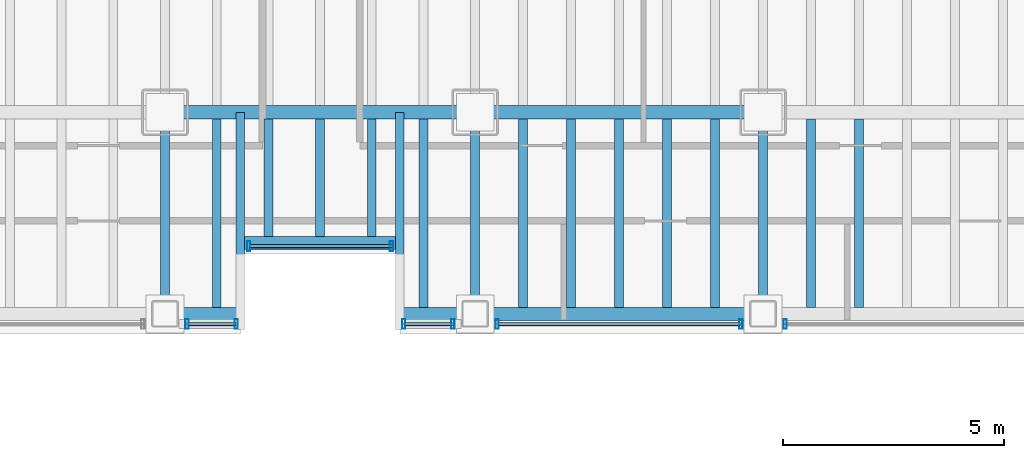
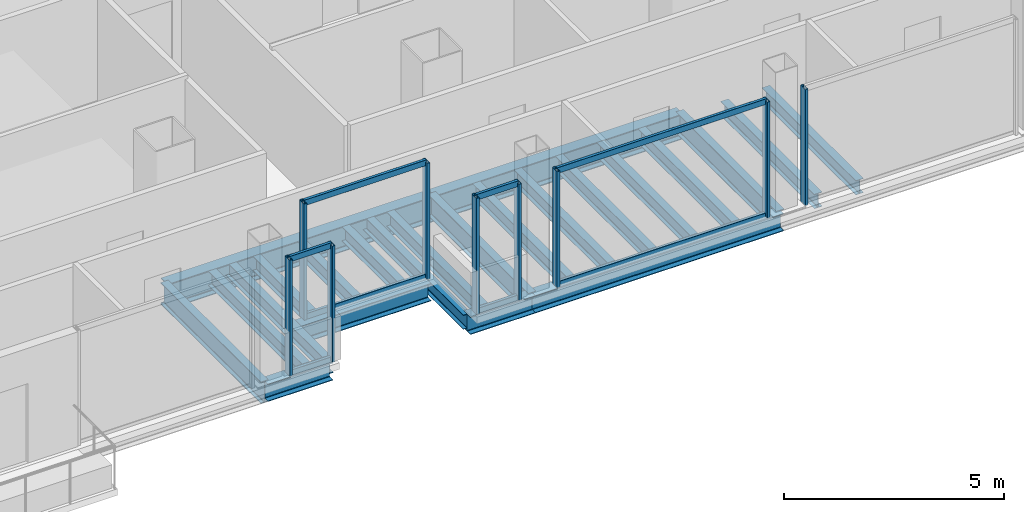
# One storey, part 4 of 20: 23 beams, 17 members, 5 elements without a shape of their own.
"""IFC4 building model written with IfcOpenShell, lengths in metres."""

from ifc_helpers import new_model, si_unit, direction, frame, origin, origin_2d, place, context, subcontext, project, spatial, hollow_rectangle, i_section, extrude, material, material_profile, profile_set, type_object, element, aggregate, save


model = new_model("IFC4")

# Units and contexts
model_context = context("Model", 3, precision=1e-05, world=origin(), true_north=direction((0.0, 1.0)))
body_context = subcontext(model_context, "Body", "Model", "MODEL_VIEW")
ifc_project = project(units=[si_unit("LENGTHUNIT", "METRE"), si_unit("AREAUNIT", "SQUARE_METRE"), si_unit("VOLUMEUNIT", "CUBIC_METRE"), si_unit("PLANEANGLEUNIT", "RADIAN"), si_unit("MASSUNIT", "GRAM", prefix="KILO")], contexts=[model_context])

# Site, building, storey
site_placement = place(None, origin())
site = spatial("IfcSite", under=ifc_project, at=site_placement, CompositionType="ELEMENT")
building_placement = place(site_placement, origin())
building = spatial("IfcBuilding", under=site, at=building_placement, Name="Noeulbin Bourse Tower", CompositionType="ELEMENT")
storey_placement = place(building_placement, frame((0.0, 0.0, 73.300048828125)))
storey = spatial("IfcBuildingStorey", under=building, at=storey_placement, Name="L18", CompositionType="ELEMENT", Elevation=73.300048828125)

# Beams
ifc_material_1 = material(Name="Steel S355", Category="steel")
ifc_material_profile_1 = material_profile(ifc_material_1, i_section(OverallWidth=0.199951171875, OverallDepth=0.60009765625, WebThickness=0.010986328125, FlangeThickness=0.01708984375, FilletRadius=0.02197265625, at=origin_2d()), Name="H-600x200x11x17", Category="LoadBearing")
ifc_profile_set_1 = profile_set([ifc_material_profile_1], Name="Steel S355")
beam_type_1 = type_object("IfcBeamType", Name="BM-GRD-600", PredefinedType="USERDEFINED", material=ifc_profile_set_1)
for number, where, z_axis, x_axis, name in (
    (1, (24.0, 15.449951171875, -0.47998046875), (0.0, 1.0, 0.0), (-1.0, 0.0, 0.0), "Tower Primary Girder NS L18-2.1"),
    (2, (31.0, 15.449951171875, -0.47998046875), (0.0, 1.0, 0.0), (-1.0, 0.0, 0.0), "Tower Primary Girder NS L18-3.1"),
    (3, (37.5, 15.449951171875, -0.47998046875), (0.0, 1.0, 0.0), (-1.0, 0.0, 0.0), "Tower Primary Girder NS L18-4.1"),
):
    element("IfcBeam", number, at=place(storey_placement, frame(where, z_axis=z_axis, x_axis=x_axis)), inside=storey, type_object=beam_type_1, Name=name, ObjectType="GIRDER", PredefinedType="USERDEFINED", context=body_context, shape_type="SweptSolid", body=[
        extrude(i_section(OverallWidth=0.199951171875, OverallDepth=0.60009765625, WebThickness=0.010986328125, FlangeThickness=0.01708984375, FilletRadius=0.02197265625, at=origin_2d()), origin(), (0.0, 0.0, 1.0), 4.550048828125),
    ])
ifc_material_profile_2 = material_profile(ifc_material_1, i_section(OverallWidth=0.300048828125, OverallDepth=0.699951171875, WebThickness=0.012939453125, FlangeThickness=0.02392578125, FilletRadius=0.02392578125, at=origin_2d()), Name="H-700x300x13x24", Category="LoadBearing")
ifc_profile_set_2 = profile_set([ifc_material_profile_2], Name="Steel S355")
beam_type_2 = type_object("IfcBeamType", Name="BM-GRD-700", PredefinedType="USERDEFINED", material=ifc_profile_set_2)
beam_1_placement = place(storey_placement, frame((24.0, 20.0, -0.530029296875), z_axis=(1.0, 0.0, 0.0), x_axis=(0.0, 1.0, 0.0)))
element("IfcBeam", 4, at=beam_1_placement, inside=storey, type_object=beam_type_2, Name="Tower Primary Girder EW L18-1.3", ObjectType="GIRDER", PredefinedType="USERDEFINED", context=body_context, shape_type="SweptSolid", body=[
    extrude(i_section(OverallWidth=0.300048828125, OverallDepth=0.699951171875, WebThickness=0.012939453125, FlangeThickness=0.02392578125, FilletRadius=0.02392578125, at=origin_2d()), origin(), (0.0, 0.0, 1.0), 7.0),
])
beam_2_placement = place(storey_placement, frame((31.0, 20.0, -0.530029296875), z_axis=(1.0, 0.0, 0.0), x_axis=(0.0, 1.0, 0.0)))
element("IfcBeam", 5, at=beam_2_placement, inside=storey, type_object=beam_type_2, Name="Tower Primary Girder EW L18-1.4", ObjectType="GIRDER", PredefinedType="USERDEFINED", context=body_context, shape_type="SweptSolid", body=[
    extrude(i_section(OverallWidth=0.300048828125, OverallDepth=0.699951171875, WebThickness=0.012939453125, FlangeThickness=0.02392578125, FilletRadius=0.02392578125, at=origin_2d()), origin(), (0.0, 0.0, 1.0), 6.5),
])
ifc_material_profile_3 = material_profile(ifc_material_1, i_section(OverallWidth=0.199951171875, OverallDepth=0.39990234375, WebThickness=0.008056640625, FlangeThickness=0.012939453125, FilletRadius=0.01611328125, at=origin_2d()), Name="H-400x200x8x13", Category="LoadBearing")
ifc_profile_set_3 = profile_set([ifc_material_profile_3], Name="Steel S355")
beam_type_3 = type_object("IfcBeamType", Name="BM-SEC-400", PredefinedType="BEAM", material=ifc_profile_set_3)
for number, where, z_axis, x_axis, name in (
    (6, (25.699951171875, 15.449951171875, -0.380126953125), (0.0, 1.0, 0.0), (-1.0, 0.0, 0.0), "BM-L18-SRT-W"),
    (7, (29.300048828125, 15.449951171875, -0.380126953125), (0.0, 1.0, 0.0), (-1.0, 0.0, 0.0), "BM-L18-SRT-E"),
):
    element("IfcBeam", number, at=place(storey_placement, frame(where, z_axis=z_axis, x_axis=x_axis)), inside=storey, type_object=beam_type_3, Name=name, PredefinedType="BEAM", context=body_context, shape_type="SweptSolid", body=[
        extrude(i_section(OverallWidth=0.199951171875, OverallDepth=0.39990234375, WebThickness=0.008056640625, FlangeThickness=0.012939453125, FilletRadius=0.01611328125, at=origin_2d()), origin(), (0.0, 0.0, 1.0), 4.550048828125),
    ])
beam_3_placement = place(storey_placement, frame((25.166748046875, 15.60009765625, -0.380126953125), z_axis=(0.0, 1.0, 0.0), x_axis=(-1.0, 0.0, 0.0)))
element("IfcBeam", 8, at=beam_3_placement, inside=storey, type_object=beam_type_3, Name="Tower Composite Joist L18-25", PredefinedType="BEAM", context=body_context, shape_type="SweptSolid", body=[
    extrude(i_section(OverallWidth=0.199951171875, OverallDepth=0.39990234375, WebThickness=0.008056640625, FlangeThickness=0.012939453125, FilletRadius=0.01611328125, at=origin_2d()), origin(), (0.0, 0.0, 1.0), 4.25),
])
for number, where, z_axis, x_axis, name in (
    (9, (26.333251953125, 17.199951171875, -0.380126953125), (0.0, 1.0, 0.0), (-1.0, 0.0, 0.0), "Tower Composite Joist L18-28"),
    (10, (27.5, 17.199951171875, -0.380126953125), (0.0, 1.0, 0.0), (-1.0, 0.0, 0.0), "Tower Composite Joist L18-31"),
    (11, (28.666748046875, 17.199951171875, -0.380126953125), (0.0, 1.0, 0.0), (-1.0, 0.0, 0.0), "Tower Composite Joist L18-34"),
):
    element("IfcBeam", number, at=place(storey_placement, frame(where, z_axis=z_axis, x_axis=x_axis)), inside=storey, type_object=beam_type_3, Name=name, PredefinedType="BEAM", context=body_context, shape_type="SweptSolid", body=[
        extrude(i_section(OverallWidth=0.199951171875, OverallDepth=0.39990234375, WebThickness=0.008056640625, FlangeThickness=0.012939453125, FilletRadius=0.01611328125, at=origin_2d()), origin(), (0.0, 0.0, 1.0), 2.650146484375),
    ])
for number, where, z_axis, x_axis, name in (
    (12, (29.833251953125, 15.60009765625, -0.380126953125), (0.0, 1.0, 0.0), (-1.0, 0.0, 0.0), "Tower Composite Joist L18-37"),
    (13, (32.083251953125, 15.60009765625, -0.380126953125), (0.0, 1.0, 0.0), (-1.0, 0.0, 0.0), "Tower Composite Joist L18-40"),
    (14, (33.166748046875, 15.60009765625, -0.380126953125), (0.0, 1.0, 0.0), (-1.0, 0.0, 0.0), "Tower Composite Joist L18-43"),
    (15, (34.25, 15.60009765625, -0.380126953125), (0.0, 1.0, 0.0), (-1.0, 0.0, 0.0), "Tower Composite Joist L18-46"),
    (16, (35.333251953125, 15.60009765625, -0.380126953125), (0.0, 1.0, 0.0), (-1.0, 0.0, 0.0), "Tower Composite Joist L18-49"),
    (17, (36.416748046875, 15.60009765625, -0.380126953125), (0.0, 1.0, 0.0), (-1.0, 0.0, 0.0), "Tower Composite Joist L18-52"),
    (18, (38.583251953125, 15.60009765625, -0.380126953125), (0.0, 1.0, 0.0), (-1.0, 0.0, 0.0), "Tower Composite Joist L18-55"),
    (19, (39.666748046875, 15.60009765625, -0.380126953125), (0.0, 1.0, 0.0), (-1.0, 0.0, 0.0), "Tower Composite Joist L18-58"),
):
    element("IfcBeam", number, at=place(storey_placement, frame(where, z_axis=z_axis, x_axis=x_axis)), inside=storey, type_object=beam_type_3, Name=name, PredefinedType="BEAM", context=body_context, shape_type="SweptSolid", body=[
        extrude(i_section(OverallWidth=0.199951171875, OverallDepth=0.39990234375, WebThickness=0.008056640625, FlangeThickness=0.012939453125, FilletRadius=0.01611328125, at=origin_2d()), origin(), (0.0, 0.0, 1.0), 4.25),
    ])
ifc_material_profile_4 = material_profile(ifc_material_1, i_section(OverallWidth=0.300048828125, OverallDepth=0.488037109375, WebThickness=0.010986328125, FlangeThickness=0.01806640625, FilletRadius=0.02197265625, at=origin_2d()), Name="H-488x300x11x18", Category="LoadBearing")
ifc_profile_set_4 = profile_set([ifc_material_profile_4], Name="Steel S355")
beam_type_4 = type_object("IfcBeamType", Name="BM-SPN-488", PredefinedType="SPANDREL", material=ifc_profile_set_4)
beam_4_placement = place(storey_placement, frame((25.800048828125, 17.050048828125, -0.424072265625), z_axis=(1.0, 0.0, 0.0), x_axis=(0.0, 1.0, 0.0)))
element("IfcBeam", 20, at=beam_4_placement, inside=storey, type_object=beam_type_4, Name="South Recess Spandrel L18-2B", PredefinedType="SPANDREL", context=body_context, shape_type="SweptSolid", body=[
    extrude(i_section(OverallWidth=0.300048828125, OverallDepth=0.488037109375, WebThickness=0.010986328125, FlangeThickness=0.01806640625, FilletRadius=0.02197265625, at=origin_2d()), origin(), (0.0, 0.0, 1.0), 3.39990234375),
])
for number, where, z_axis, x_axis, name in (
    (21, (24.0, 15.449951171875, -0.424072265625), (1.0, 0.0, 0.0), (0.0, 1.0, 0.0), "South Spandrel L18-2A"),
    (22, (29.300048828125, 15.449951171875, -0.424072265625), (1.0, 0.0, 0.0), (0.0, 1.0, 0.0), "South Spandrel L18-2C"),
):
    element("IfcBeam", number, at=place(storey_placement, frame(where, z_axis=z_axis, x_axis=x_axis)), inside=storey, type_object=beam_type_4, Name=name, PredefinedType="SPANDREL", context=body_context, shape_type="SweptSolid", body=[
        extrude(i_section(OverallWidth=0.300048828125, OverallDepth=0.488037109375, WebThickness=0.010986328125, FlangeThickness=0.01806640625, FilletRadius=0.02197265625, at=origin_2d()), origin(), (0.0, 0.0, 1.0), 1.699951171875),
    ])
beam_5_placement = place(storey_placement, frame((31.0, 15.449951171875, -0.424072265625), z_axis=(1.0, 0.0, 0.0), x_axis=(0.0, 1.0, 0.0)))
element("IfcBeam", 23, at=beam_5_placement, inside=storey, type_object=beam_type_4, Name="South Spandrel L18-3", PredefinedType="SPANDREL", context=body_context, shape_type="SweptSolid", body=[
    extrude(i_section(OverallWidth=0.300048828125, OverallDepth=0.488037109375, WebThickness=0.010986328125, FlangeThickness=0.01806640625, FilletRadius=0.02197265625, at=origin_2d()), origin(), (0.0, 0.0, 1.0), 6.5),
])

# Curtain wall, members
ifc_material_2 = material(Name="Dark Solar-Control Double Glazing", Category="glass")
curtain_wall_type = type_object("IfcCurtainWallType", Name="CW-SYS-2", PredefinedType="NOTDEFINED", material=ifc_material_2)
curtain_wall_1_placement = place(storey_placement, origin())
curtain_wall_1 = element("IfcCurtainWall", 24, at=curtain_wall_1_placement, inside=storey, type_object=curtain_wall_type, Name="Unitised Curtain Wall CW-L18-SREC", PredefinedType="NOTDEFINED")
ifc_material_3 = material(Name="Anodised Aluminium 6063-T6", Category="aluminium")
ifc_material_profile_5 = material_profile(ifc_material_3, hollow_rectangle(XDim=0.074951171875, YDim=0.219970703125, WallThickness=0.0048828125, InnerFilletRadius=0.00244140625, OuterFilletRadius=0.0048828125, at=origin_2d()), Name="ALU-MULL-75x220x5", Category="LoadBearing")
ifc_profile_set_5 = profile_set([ifc_material_profile_5], Name="Anodised Aluminium 6063-T6")
member_type_1 = type_object("IfcMemberType", Name="CW-SYS-2-MUL", PredefinedType="MULLION", material=ifc_profile_set_5)
member_1_placement = place(storey_placement, frame((25.889892578125, 16.97998046875, -0.02001953125), z_axis=(0.0, 0.0, 1.0), x_axis=(1.0, 0.0, 0.0)))
member_1 = element("IfcMember", 25, at=member_1_placement, type_object=member_type_1, Name="Curtain Wall Mullion CW-L18-SREC-M00", PredefinedType="MULLION", context=body_context, shape_type="SweptSolid", body=[
    extrude(hollow_rectangle(XDim=0.074951171875, YDim=0.219970703125, WallThickness=0.0048828125, InnerFilletRadius=0.00244140625, OuterFilletRadius=0.0048828125, at=origin_2d()), origin(), (0.0, 0.0, 1.0), 3.219970703125),
])
member_2_placement = place(storey_placement, frame((29.110107421875, 16.97998046875, -0.02001953125), z_axis=(0.0, 0.0, 1.0), x_axis=(1.0, 0.0, 0.0)))
member_2 = element("IfcMember", 26, at=member_2_placement, type_object=member_type_1, Name="Curtain Wall Mullion CW-L18-SREC-M01", PredefinedType="MULLION", context=body_context, shape_type="SweptSolid", body=[
    extrude(hollow_rectangle(XDim=0.074951171875, YDim=0.219970703125, WallThickness=0.0048828125, InnerFilletRadius=0.00244140625, OuterFilletRadius=0.0048828125, at=origin_2d()), origin(), (0.0, 0.0, 1.0), 3.219970703125),
])

curtain_wall_2_placement = place(storey_placement, origin())
curtain_wall_2 = element("IfcCurtainWall", 27, at=curtain_wall_2_placement, inside=storey, type_object=curtain_wall_type, Name="Unitised Curtain Wall CW-L18-S2-S2", PredefinedType="NOTDEFINED")
member_3_placement = place(storey_placement, frame((24.5, 15.219970703125, -0.02001953125), z_axis=(0.0, 0.0, 1.0), x_axis=(1.0, 0.0, 0.0)))
member_3 = element("IfcMember", 28, at=member_3_placement, type_object=member_type_1, Name="Curtain Wall Mullion CW-L18-S2-S2-M00", PredefinedType="MULLION", context=body_context, shape_type="SweptSolid", body=[
    extrude(hollow_rectangle(XDim=0.074951171875, YDim=0.219970703125, WallThickness=0.0048828125, InnerFilletRadius=0.00244140625, OuterFilletRadius=0.0048828125, at=origin_2d()), origin(), (0.0, 0.0, 1.0), 3.219970703125),
])
member_4_placement = place(storey_placement, frame((25.610107421875, 15.219970703125, -0.02001953125), z_axis=(0.0, 0.0, 1.0), x_axis=(1.0, 0.0, 0.0)))
member_4 = element("IfcMember", 29, at=member_4_placement, type_object=member_type_1, Name="Curtain Wall Mullion CW-L18-S2-S2-M01", PredefinedType="MULLION", context=body_context, shape_type="SweptSolid", body=[
    extrude(hollow_rectangle(XDim=0.074951171875, YDim=0.219970703125, WallThickness=0.0048828125, InnerFilletRadius=0.00244140625, OuterFilletRadius=0.0048828125, at=origin_2d()), origin(), (0.0, 0.0, 1.0), 3.219970703125),
])

curtain_wall_3_placement = place(storey_placement, origin())
curtain_wall_3 = element("IfcCurtainWall", 30, at=curtain_wall_3_placement, inside=storey, type_object=curtain_wall_type, Name="Unitised Curtain Wall CW-L18-S3-S1", PredefinedType="NOTDEFINED")
member_5_placement = place(storey_placement, frame((29.389892578125, 15.219970703125, -0.02001953125), z_axis=(0.0, 0.0, 1.0), x_axis=(1.0, 0.0, 0.0)))
member_5 = element("IfcMember", 31, at=member_5_placement, type_object=member_type_1, Name="Curtain Wall Mullion CW-L18-S3-S1-M00", PredefinedType="MULLION", context=body_context, shape_type="SweptSolid", body=[
    extrude(hollow_rectangle(XDim=0.074951171875, YDim=0.219970703125, WallThickness=0.0048828125, InnerFilletRadius=0.00244140625, OuterFilletRadius=0.0048828125, at=origin_2d()), origin(), (0.0, 0.0, 1.0), 3.219970703125),
])
member_6_placement = place(storey_placement, frame((30.5, 15.219970703125, -0.02001953125), z_axis=(0.0, 0.0, 1.0), x_axis=(1.0, 0.0, 0.0)))
member_6 = element("IfcMember", 32, at=member_6_placement, type_object=member_type_1, Name="Curtain Wall Mullion CW-L18-S3-S1-M01", PredefinedType="MULLION", context=body_context, shape_type="SweptSolid", body=[
    extrude(hollow_rectangle(XDim=0.074951171875, YDim=0.219970703125, WallThickness=0.0048828125, InnerFilletRadius=0.00244140625, OuterFilletRadius=0.0048828125, at=origin_2d()), origin(), (0.0, 0.0, 1.0), 3.219970703125),
])

curtain_wall_4_placement = place(storey_placement, origin())
curtain_wall_4 = element("IfcCurtainWall", 33, at=curtain_wall_4_placement, inside=storey, type_object=curtain_wall_type, Name="Unitised Curtain Wall CW-L18-S3-S2", PredefinedType="NOTDEFINED")
member_7_placement = place(storey_placement, frame((31.5, 15.219970703125, -0.02001953125), z_axis=(0.0, 0.0, 1.0), x_axis=(1.0, 0.0, 0.0)))
member_7 = element("IfcMember", 34, at=member_7_placement, type_object=member_type_1, Name="Curtain Wall Mullion CW-L18-S3-S2-M00", PredefinedType="MULLION", context=body_context, shape_type="SweptSolid", body=[
    extrude(hollow_rectangle(XDim=0.074951171875, YDim=0.219970703125, WallThickness=0.0048828125, InnerFilletRadius=0.00244140625, OuterFilletRadius=0.0048828125, at=origin_2d()), origin(), (0.0, 0.0, 1.0), 3.219970703125),
])
member_8_placement = place(storey_placement, frame((37.0, 15.219970703125, -0.02001953125), z_axis=(0.0, 0.0, 1.0), x_axis=(1.0, 0.0, 0.0)))
member_8 = element("IfcMember", 35, at=member_8_placement, type_object=member_type_1, Name="Curtain Wall Mullion CW-L18-S3-S2-M01", PredefinedType="MULLION", context=body_context, shape_type="SweptSolid", body=[
    extrude(hollow_rectangle(XDim=0.074951171875, YDim=0.219970703125, WallThickness=0.0048828125, InnerFilletRadius=0.00244140625, OuterFilletRadius=0.0048828125, at=origin_2d()), origin(), (0.0, 0.0, 1.0), 3.219970703125),
])

# Curtain wall, member
curtain_wall_5_placement = place(storey_placement, origin())
curtain_wall_5 = element("IfcCurtainWall", 36, at=curtain_wall_5_placement, inside=storey, type_object=curtain_wall_type, Name="Unitised Curtain Wall CW-L18-S3-S3", PredefinedType="NOTDEFINED")
member_9_placement = place(storey_placement, frame((38.0, 15.219970703125, -0.02001953125), z_axis=(0.0, 0.0, 1.0), x_axis=(1.0, 0.0, 0.0)))
member_9 = element("IfcMember", 37, at=member_9_placement, type_object=member_type_1, Name="Curtain Wall Mullion CW-L18-S3-S3-M00", PredefinedType="MULLION", context=body_context, shape_type="SweptSolid", body=[
    extrude(hollow_rectangle(XDim=0.074951171875, YDim=0.219970703125, WallThickness=0.0048828125, InnerFilletRadius=0.00244140625, OuterFilletRadius=0.0048828125, at=origin_2d()), origin(), (0.0, 0.0, 1.0), 3.219970703125),
])
aggregate(curtain_wall_5, [member_9])

# Member
ifc_material_profile_6 = material_profile(ifc_material_3, hollow_rectangle(XDim=0.074951171875, YDim=0.159912109375, WallThickness=0.0048828125, InnerFilletRadius=0.00244140625, OuterFilletRadius=0.0048828125, at=origin_2d()), Name="ALU-TRAN-75x160x5", Category="LoadBearing")
ifc_profile_set_6 = profile_set([ifc_material_profile_6], Name="Anodised Aluminium 6063-T6")
member_type_2 = type_object("IfcMemberType", Name="CW-SYS-2-TRN", PredefinedType="USERDEFINED", material=ifc_profile_set_6)
member_10_placement = place(storey_placement, frame((25.89990234375, 16.97998046875, 0.010009765625), z_axis=(1.0, 0.0, 0.0), x_axis=(0.0, 1.0, 0.0)))
member_10 = element("IfcMember", 38, at=member_10_placement, type_object=member_type_2, Name="Curtain Wall Transom CW-L18-SREC-T00", ObjectType="TRANSOM", PredefinedType="USERDEFINED", context=body_context, shape_type="SweptSolid", body=[
    extrude(hollow_rectangle(XDim=0.074951171875, YDim=0.159912109375, WallThickness=0.0048828125, InnerFilletRadius=0.00244140625, OuterFilletRadius=0.0048828125, at=origin_2d()), origin(), (0.0, 0.0, 1.0), 3.2001953125),
])

member_11_placement = place(storey_placement, frame((25.89990234375, 16.97998046875, 3.169921875), z_axis=(1.0, 0.0, 0.0), x_axis=(0.0, 1.0, 0.0)))
member_11 = element("IfcMember", 39, at=member_11_placement, type_object=member_type_2, Name="Curtain Wall Transom CW-L18-SREC-T01", ObjectType="TRANSOM", PredefinedType="USERDEFINED", context=body_context, shape_type="SweptSolid", body=[
    extrude(hollow_rectangle(XDim=0.074951171875, YDim=0.159912109375, WallThickness=0.0048828125, InnerFilletRadius=0.00244140625, OuterFilletRadius=0.0048828125, at=origin_2d()), origin(), (0.0, 0.0, 1.0), 3.2001953125),
])

aggregate(curtain_wall_1, [member_1, member_2, member_10, member_11])

member_12_placement = place(storey_placement, frame((24.510009765625, 15.219970703125, 0.010009765625), z_axis=(1.0, 0.0, 0.0), x_axis=(0.0, 1.0, 0.0)))
member_12 = element("IfcMember", 40, at=member_12_placement, type_object=member_type_2, Name="Curtain Wall Transom CW-L18-S2-S2-T00", ObjectType="TRANSOM", PredefinedType="USERDEFINED", context=body_context, shape_type="SweptSolid", body=[
    extrude(hollow_rectangle(XDim=0.074951171875, YDim=0.159912109375, WallThickness=0.0048828125, InnerFilletRadius=0.00244140625, OuterFilletRadius=0.0048828125, at=origin_2d()), origin(), (0.0, 0.0, 1.0), 1.090087890625),
])

member_13_placement = place(storey_placement, frame((24.510009765625, 15.219970703125, 3.169921875), z_axis=(1.0, 0.0, 0.0), x_axis=(0.0, 1.0, 0.0)))
member_13 = element("IfcMember", 41, at=member_13_placement, type_object=member_type_2, Name="Curtain Wall Transom CW-L18-S2-S2-T01", ObjectType="TRANSOM", PredefinedType="USERDEFINED", context=body_context, shape_type="SweptSolid", body=[
    extrude(hollow_rectangle(XDim=0.074951171875, YDim=0.159912109375, WallThickness=0.0048828125, InnerFilletRadius=0.00244140625, OuterFilletRadius=0.0048828125, at=origin_2d()), origin(), (0.0, 0.0, 1.0), 1.090087890625),
])

aggregate(curtain_wall_2, [member_3, member_4, member_12, member_13])

member_14_placement = place(storey_placement, frame((29.39990234375, 15.219970703125, 0.010009765625), z_axis=(1.0, 0.0, 0.0), x_axis=(0.0, 1.0, 0.0)))
member_14 = element("IfcMember", 42, at=member_14_placement, type_object=member_type_2, Name="Curtain Wall Transom CW-L18-S3-S1-T00", ObjectType="TRANSOM", PredefinedType="USERDEFINED", context=body_context, shape_type="SweptSolid", body=[
    extrude(hollow_rectangle(XDim=0.074951171875, YDim=0.159912109375, WallThickness=0.0048828125, InnerFilletRadius=0.00244140625, OuterFilletRadius=0.0048828125, at=origin_2d()), origin(), (0.0, 0.0, 1.0), 1.090087890625),
])

member_15_placement = place(storey_placement, frame((29.39990234375, 15.219970703125, 3.169921875), z_axis=(1.0, 0.0, 0.0), x_axis=(0.0, 1.0, 0.0)))
member_15 = element("IfcMember", 43, at=member_15_placement, type_object=member_type_2, Name="Curtain Wall Transom CW-L18-S3-S1-T01", ObjectType="TRANSOM", PredefinedType="USERDEFINED", context=body_context, shape_type="SweptSolid", body=[
    extrude(hollow_rectangle(XDim=0.074951171875, YDim=0.159912109375, WallThickness=0.0048828125, InnerFilletRadius=0.00244140625, OuterFilletRadius=0.0048828125, at=origin_2d()), origin(), (0.0, 0.0, 1.0), 1.090087890625),
])

aggregate(curtain_wall_3, [member_5, member_6, member_14, member_15])

member_16_placement = place(storey_placement, frame((31.510009765625, 15.219970703125, 0.010009765625), z_axis=(1.0, 0.0, 0.0), x_axis=(0.0, 1.0, 0.0)))
member_16 = element("IfcMember", 44, at=member_16_placement, type_object=member_type_2, Name="Curtain Wall Transom CW-L18-S3-S2-T00", ObjectType="TRANSOM", PredefinedType="USERDEFINED", context=body_context, shape_type="SweptSolid", body=[
    extrude(hollow_rectangle(XDim=0.074951171875, YDim=0.159912109375, WallThickness=0.0048828125, InnerFilletRadius=0.00244140625, OuterFilletRadius=0.0048828125, at=origin_2d()), origin(), (0.0, 0.0, 1.0), 5.47998046875),
])

member_17_placement = place(storey_placement, frame((31.510009765625, 15.219970703125, 3.169921875), z_axis=(1.0, 0.0, 0.0), x_axis=(0.0, 1.0, 0.0)))
member_17 = element("IfcMember", 45, at=member_17_placement, type_object=member_type_2, Name="Curtain Wall Transom CW-L18-S3-S2-T01", ObjectType="TRANSOM", PredefinedType="USERDEFINED", context=body_context, shape_type="SweptSolid", body=[
    extrude(hollow_rectangle(XDim=0.074951171875, YDim=0.159912109375, WallThickness=0.0048828125, InnerFilletRadius=0.00244140625, OuterFilletRadius=0.0048828125, at=origin_2d()), origin(), (0.0, 0.0, 1.0), 5.47998046875),
])

aggregate(curtain_wall_4, [member_7, member_8, member_16, member_17])

save(model, "model.ifc")
